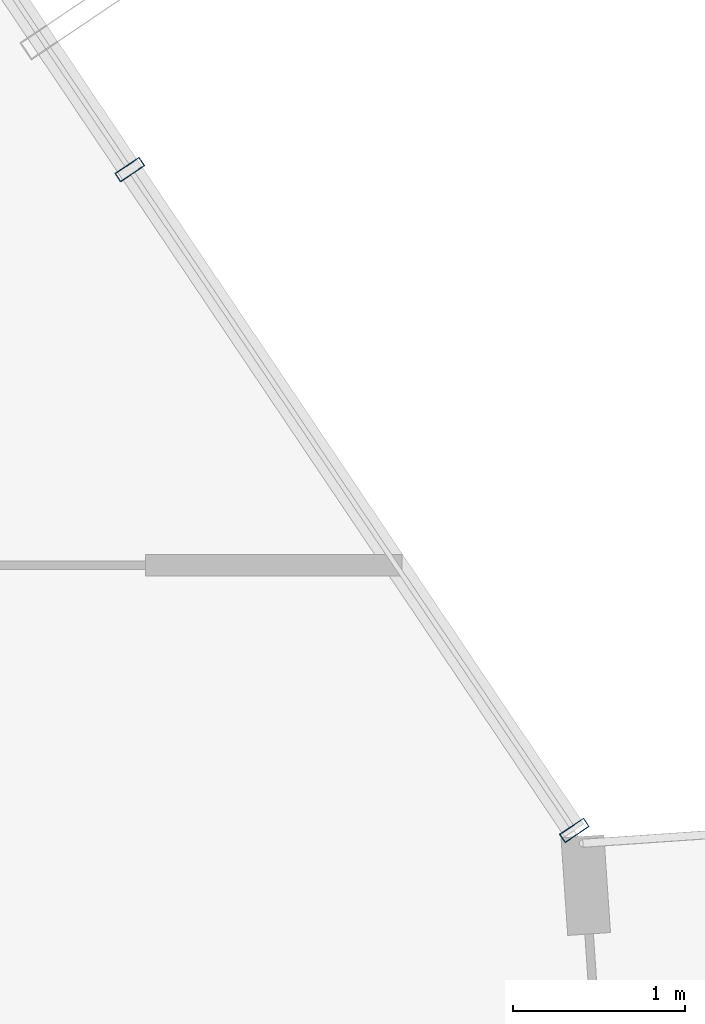
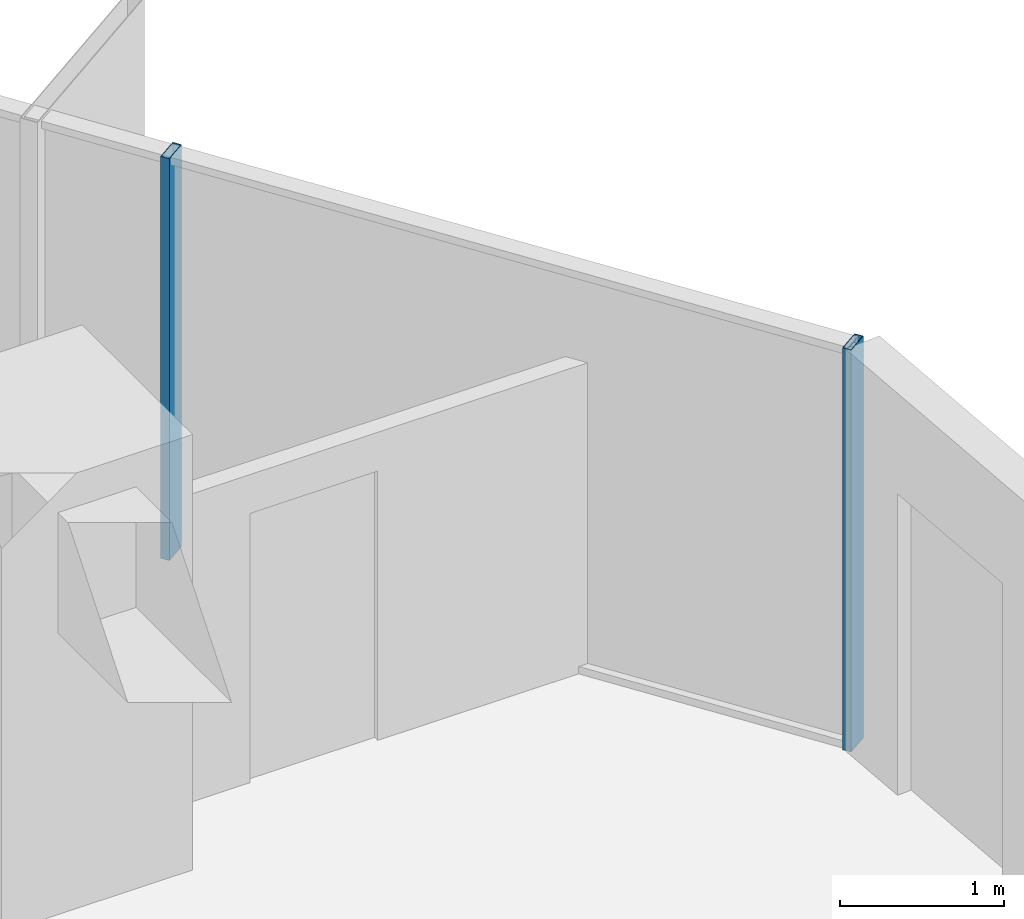
# One storey, part 20 of 37: 2 members, 1 element without a shape of its own.
"""IFC4 building model written with IfcOpenShell, lengths in metres."""

from ifc_helpers import new_model, si_unit, direction, frame, origin, origin_2d, place, context, subcontext, project, spatial, hollow_rectangle, extrude, source, transform, mapped, material, layer, layer_set, material_profile, profile_set, type_object, element, aggregate, save


model = new_model("IFC4")

# Units and contexts
model_context = context("Model", 3, precision=1e-05, world=origin(), true_north=direction((0.0, 1.0)))
body_context = subcontext(model_context, "Body", "Model", "MODEL_VIEW")
ifc_project = project(units=[si_unit("LENGTHUNIT", "METRE"), si_unit("AREAUNIT", "SQUARE_METRE"), si_unit("VOLUMEUNIT", "CUBIC_METRE"), si_unit("PLANEANGLEUNIT", "RADIAN"), si_unit("MASSUNIT", "GRAM", prefix="KILO")], contexts=[model_context])

# Site, building, storey
site_placement = place(None, origin())
site = spatial("IfcSite", under=ifc_project, at=site_placement, CompositionType="ELEMENT")
building_placement = place(site_placement, origin())
building = spatial("IfcBuilding", under=site, at=building_placement, Name="Veraguas Prism Commons", CompositionType="ELEMENT")
storey_placement = place(building_placement, frame((0.0, 0.0, 37.050048828125)))
storey = spatial("IfcBuildingStorey", under=building, at=storey_placement, Name="L09", CompositionType="ELEMENT", Elevation=37.050048828125)

# Curtain wall, members
ifc_material = material(Name="Anodised aluminium EN AW-6063 T6", Category="aluminium")
ifc_layer = layer(ifc_material, 0.169921875, Name="Unitised Flush Curtain Wall Zone 1", Category="aluminium")
ifc_layer_set = layer_set([ifc_layer], Name="Anodised aluminium EN AW-6063 T6")
curtain_wall_type = type_object("IfcCurtainWallType", Name="Unitised Flush Curtain Wall Zone 1", PredefinedType="NOTDEFINED", material=ifc_layer_set)
curtain_wall_placement = place(storey_placement, origin())
curtain_wall = element("IfcCurtainWall", 1, at=curtain_wall_placement, inside=storey, type_object=curtain_wall_type, Name="Tower Facade Curtain Wall L09-F1", PredefinedType="NOTDEFINED")
ifc_material_profile = material_profile(ifc_material, hollow_rectangle(XDim=0.06005859375, YDim=0.169921875, WallThickness=0.00390625, at=origin_2d()), Name="AL60X170X4")
ifc_profile_set = profile_set([ifc_material_profile], Name="Anodised aluminium EN AW-6063 T6")
member_type = type_object("IfcMemberType", Name="Curtain Wall Mullion Lower AL 60x170x4", PredefinedType="MULLION", material=ifc_profile_set)
shared_shape = source(origin(), body_context, "Body", "SweptSolid", [
    extrude(hollow_rectangle(XDim=0.06005859375, YDim=0.169921875, WallThickness=0.00390625, at=origin_2d()), origin(), (0.0, 0.0, 1.0), 3.0),
])
member_1_placement = place(storey_placement, frame((46.44384765625, 27.871337890625, 0.0), z_axis=(0.0, 0.0, 1.0), x_axis=(-0.558034803938, 0.829817544761, 0.0)))
member_1 = element("IfcMember", 2, at=member_1_placement, type_object=member_type, Name="CW-Z1 Mullion 1", PredefinedType="MULLION", context=body_context, shape_type="MappedRepresentation", body=[
    mapped(shared_shape, transform((0.0, 0.0, 0.0), scale=1.0)),
])
member_2_placement = place(storey_placement, frame((43.85400390625, 31.722412109375, 0.0), z_axis=(0.0, 0.0, 1.0), x_axis=(-0.558034803938, 0.829817544761, 0.0)))
member_2 = element("IfcMember", 3, at=member_2_placement, type_object=member_type, Name="CW-Z1 Mullion 2", PredefinedType="MULLION", context=body_context, shape_type="MappedRepresentation", body=[
    mapped(shared_shape, transform((0.0, 0.0, 0.0), scale=1.0)),
])
aggregate(curtain_wall, [member_1, member_2])

save(model, "model.ifc")
